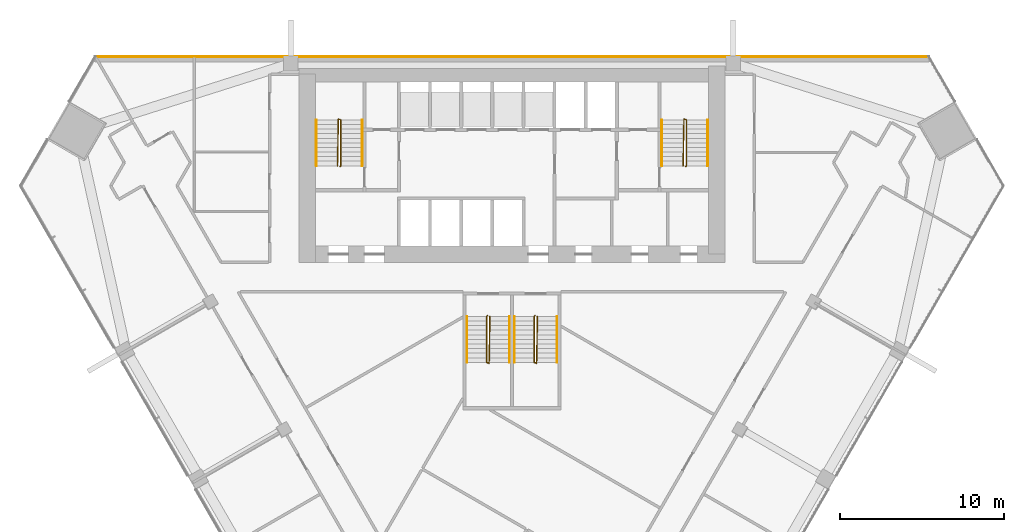
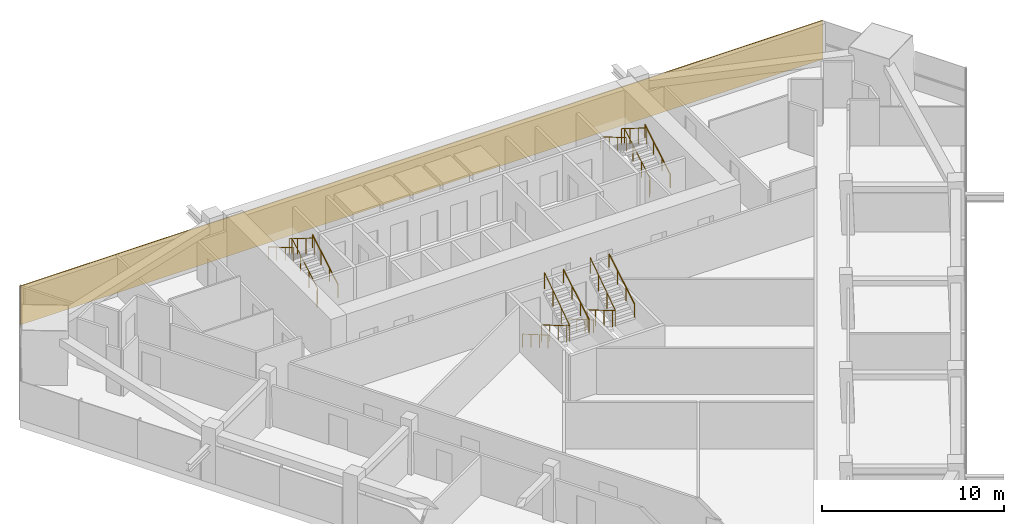
# One storey, part 12 of 13: 12 railings, 1 covering.
"""IFC4 building model written with IfcOpenShell, lengths in metres."""

from ifc_helpers import new_model, si_unit, direction, frame, frame_2d, origin, origin_2d, place, context, subcontext, project, spatial, rectangle, circle, extrude, material, layer, layer_set, type_object, element, save


model = new_model("IFC4")

# Units and contexts
model_context = context("Model", 3, precision=1e-05, world=origin(), true_north=direction((0.0, 1.0)))
body_context = subcontext(model_context, "Body", "Model", "MODEL_VIEW")
ifc_project = project(units=[si_unit("LENGTHUNIT", "METRE"), si_unit("AREAUNIT", "SQUARE_METRE"), si_unit("VOLUMEUNIT", "CUBIC_METRE"), si_unit("PLANEANGLEUNIT", "RADIAN"), si_unit("MASSUNIT", "GRAM", prefix="KILO")], contexts=[model_context])

# Site, building, storey
site_placement = place(None, origin())
site = spatial("IfcSite", under=ifc_project, at=site_placement, CompositionType="ELEMENT")
building_placement = place(site_placement, origin())
building = spatial("IfcBuilding", under=site, at=building_placement, Name="Altiplano Prism Tower", CompositionType="ELEMENT")
storey_placement = place(building_placement, frame((0.0, 0.0, 66.60009765625)))
storey = spatial("IfcBuildingStorey", under=building, at=storey_placement, Name="L16", CompositionType="ELEMENT", Elevation=66.60009765625)

# Railings
ifc_material_1 = material(Name="Steel S355", Category="steel")
railing_type_1 = type_object("IfcRailingType", Name="Stair guard 1100", PredefinedType="GUARDRAIL", material=ifc_material_1)
railing_1_placement = place(storey_placement, frame((74.5, 98.25, 0.0)))
element("IfcRailing", 1, at=railing_1_placement, inside=storey, type_object=railing_type_1, Name="L16 ST1 stair guard 1", PredefinedType="GUARDRAIL", context=body_context, shape_type="SweptSolid", body=[
    extrude(circle(Radius=0.02392578125, at=origin_2d()), frame((0.0, 0.0, 1.076171875), z_axis=(0.280808744504, 0.280808744504, 0.917765164963), x_axis=(-0.707106781187, 0.707106781187, 0.0)), (0.0, 0.0, 1.0), 0.17822265625),
    extrude(circle(Radius=0.02392578125, at=origin_2d()), frame((0.050048828125, 0.050048828125, 1.23974609375), z_axis=(0.0, 0.863393664356, 0.504530851732), x_axis=(-1.0, 0.0, 0.0)), (0.0, 0.0, 1.0), 3.2431640625),
    extrude(circle(Radius=0.02392578125, at=origin_2d()), frame((0.050048828125, 2.85009765625, 2.8759765625), z_axis=(-0.949145278916, 0.314838433982, 0.0), x_axis=(-0.314838433982, -0.949145278916, 0.0)), (0.0, 0.0, 1.0), 0.158203125),
    extrude(circle(Radius=0.02392578125, at=origin_2d()), frame((-0.10009765625, 2.89990234375, 2.8759765625), z_axis=(-0.01477401265, -0.845377694409, 0.533964682676), x_axis=(0.999847325713, -0.01747355902, 0.0)), (0.0, 0.0, 1.0), 3.37109375),
    extrude(circle(Radius=0.02099609375, at=origin_2d()), origin(), (0.0, 0.0, 1.0), 1.052001953125),
    extrude(circle(Radius=0.02099609375, at=origin_2d()), frame((0.050048828125, 0.050048828125, 0.16357421875)), (0.0, 0.0, 1.0), 1.052001953125),
    extrude(circle(Radius=0.02099609375, at=origin_2d()), frame((0.050048828125, 0.9833984375, 0.708984375)), (0.0, 0.0, 1.0), 1.052001953125),
    extrude(circle(Radius=0.02099609375, at=origin_2d()), frame((0.050048828125, 1.916748046875, 1.25439453125)), (0.0, 0.0, 1.0), 1.052001953125),
    extrude(circle(Radius=0.02099609375, at=origin_2d()), frame((0.050048828125, 2.85009765625, 1.7998046875)), (0.0, 0.0, 1.0), 1.052001953125),
    extrude(circle(Radius=0.02099609375, at=origin_2d()), frame((-0.10009765625, 2.89990234375, 1.7998046875)), (0.0, 0.0, 1.0), 1.052001953125),
    extrude(circle(Radius=0.02099609375, at=origin_2d()), frame((-0.11669921875, 1.949951171875, 2.39990234375)), (0.0, 0.0, 1.0), 1.052001953125),
    extrude(circle(Radius=0.02099609375, at=origin_2d()), frame((-0.13330078125, 1.0, 2.999755859375)), (0.0, 0.0, 1.0), 1.052001953125),
    extrude(circle(Radius=0.02099609375, at=origin_2d()), frame((-0.14990234375, 0.050048828125, 3.599853515625)), (0.0, 0.0, 1.0), 1.052001953125),
])
railing_2_placement = place(storey_placement, frame((95.60009765625, 98.25, 0.0)))
element("IfcRailing", 2, at=railing_2_placement, inside=storey, type_object=railing_type_1, Name="L16 ST2 stair guard 1", PredefinedType="GUARDRAIL", context=body_context, shape_type="SweptSolid", body=[
    extrude(circle(Radius=0.02392578125, at=origin_2d()), frame((0.0, 0.0, 1.076171875), z_axis=(0.279546231943, 0.280916556609, 0.91811752648), x_axis=(-0.708833529934, 0.705375805398, 0.0)), (0.0, 0.0, 1.0), 0.17822265625),
    extrude(circle(Radius=0.02392578125, at=origin_2d()), frame((0.0498046875, 0.050048828125, 1.23974609375), z_axis=(0.0, 0.863393664356, 0.504530851732), x_axis=(-1.0, 0.0, 0.0)), (0.0, 0.0, 1.0), 3.2431640625),
    extrude(circle(Radius=0.02392578125, at=origin_2d()), frame((0.0498046875, 2.85009765625, 2.8759765625), z_axis=(-0.948991962702, 0.315300261223, 0.0), x_axis=(-0.315300261223, -0.948991962702, 0.0)), (0.0, 0.0, 1.0), 0.157958984375),
    extrude(circle(Radius=0.02392578125, at=origin_2d()), frame((-0.10009765625, 2.89990234375, 2.8759765625), z_axis=(-0.014846418356, -0.845376787675, 0.533964109957), x_axis=(0.999845825584, -0.017559187376, 0.0)), (0.0, 0.0, 1.0), 3.37109375),
    extrude(circle(Radius=0.02099609375, at=origin_2d()), origin(), (0.0, 0.0, 1.0), 1.052001953125),
    extrude(circle(Radius=0.02099609375, at=origin_2d()), frame((0.0498046875, 0.050048828125, 0.16357421875)), (0.0, 0.0, 1.0), 1.052001953125),
    extrude(circle(Radius=0.02099609375, at=origin_2d()), frame((0.0498046875, 0.9833984375, 0.708984375)), (0.0, 0.0, 1.0), 1.052001953125),
    extrude(circle(Radius=0.02099609375, at=origin_2d()), frame((0.0498046875, 1.916748046875, 1.25439453125)), (0.0, 0.0, 1.0), 1.052001953125),
    extrude(circle(Radius=0.02099609375, at=origin_2d()), frame((0.0498046875, 2.85009765625, 1.7998046875)), (0.0, 0.0, 1.0), 1.052001953125),
    extrude(circle(Radius=0.02099609375, at=origin_2d()), frame((-0.10009765625, 2.89990234375, 1.7998046875)), (0.0, 0.0, 1.0), 1.052001953125),
    extrude(circle(Radius=0.02099609375, at=origin_2d()), frame((-0.11669921875, 1.949951171875, 2.39990234375)), (0.0, 0.0, 1.0), 1.052001953125),
    extrude(circle(Radius=0.02099609375, at=origin_2d()), frame((-0.133544921875, 1.0, 2.999755859375)), (0.0, 0.0, 1.0), 1.052001953125),
    extrude(circle(Radius=0.02099609375, at=origin_2d()), frame((-0.150146484375, 0.050048828125, 3.599853515625)), (0.0, 0.0, 1.0), 1.052001953125),
])
railing_3_placement = place(storey_placement, frame((83.5, 89.14990234375, 0.0)))
element("IfcRailing", 3, at=railing_3_placement, inside=storey, type_object=railing_type_1, Name="L16 ST3A stair guard 1", PredefinedType="GUARDRAIL", context=body_context, shape_type="SweptSolid", body=[
    extrude(circle(Radius=0.02392578125, at=origin_2d()), frame((0.0, 0.0, 1.076171875), z_axis=(-0.280916556609, -0.279546231943, 0.91811752648), x_axis=(0.705375805398, -0.708833529934, 0.0)), (0.0, 0.0, 1.0), 0.17822265625),
    extrude(circle(Radius=0.02392578125, at=origin_2d()), frame((-0.050048828125, -0.0498046875, 1.23974609375), z_axis=(0.0, -0.863393664356, 0.504530851732), x_axis=(1.0, 0.0, 0.0)), (0.0, 0.0, 1.0), 3.2431640625),
    extrude(circle(Radius=0.02392578125, at=origin_2d()), frame((-0.050048828125, -2.849853515625, 2.8759765625), z_axis=(0.948683298051, -0.316227766017, 0.0), x_axis=(0.316227766017, 0.948683298051, 0.0)), (0.0, 0.0, 1.0), 0.158203125),
    extrude(circle(Radius=0.02392578125, at=origin_2d()), frame((0.10009765625, -2.89990234375, 2.8759765625), z_axis=(0.014773108175, 0.84539835705, 0.533931993021), x_axis=(-0.999847351862, 0.017472062685, 0.0)), (0.0, 0.0, 1.0), 3.371337890625),
    extrude(circle(Radius=0.02099609375, at=origin_2d()), origin(), (0.0, 0.0, 1.0), 1.052001953125),
    extrude(circle(Radius=0.02099609375, at=origin_2d()), frame((-0.050048828125, -0.0498046875, 0.16357421875)), (0.0, 0.0, 1.0), 1.052001953125),
    extrude(circle(Radius=0.02099609375, at=origin_2d()), frame((-0.050048828125, -0.983154296875, 0.708984375)), (0.0, 0.0, 1.0), 1.052001953125),
    extrude(circle(Radius=0.02099609375, at=origin_2d()), frame((-0.050048828125, -1.91650390625, 1.25439453125)), (0.0, 0.0, 1.0), 1.052001953125),
    extrude(circle(Radius=0.02099609375, at=origin_2d()), frame((-0.050048828125, -2.849853515625, 1.7998046875)), (0.0, 0.0, 1.0), 1.052001953125),
    extrude(circle(Radius=0.02099609375, at=origin_2d()), frame((0.10009765625, -2.89990234375, 1.7998046875)), (0.0, 0.0, 1.0), 1.052001953125),
    extrude(circle(Radius=0.02099609375, at=origin_2d()), frame((0.11669921875, -1.949951171875, 2.39990234375)), (0.0, 0.0, 1.0), 1.052001953125),
    extrude(circle(Radius=0.02099609375, at=origin_2d()), frame((0.13330078125, -0.999755859375, 2.999755859375)), (0.0, 0.0, 1.0), 1.052001953125),
    extrude(circle(Radius=0.02099609375, at=origin_2d()), frame((0.14990234375, -0.0498046875, 3.599853515625)), (0.0, 0.0, 1.0), 1.052001953125),
])
railing_4_placement = place(storey_placement, frame((86.39990234375, 89.14990234375, 0.0)))
element("IfcRailing", 4, at=railing_4_placement, inside=storey, type_object=railing_type_1, Name="L16 ST3B stair guard 1", PredefinedType="GUARDRAIL", context=body_context, shape_type="SweptSolid", body=[
    extrude(circle(Radius=0.02392578125, at=origin_2d()), frame((0.0, 0.0, 1.076171875), z_axis=(-0.279653641804, -0.279653641804, 0.918470294159), x_axis=(0.707106781187, -0.707106781187, 0.0)), (0.0, 0.0, 1.0), 0.177978515625),
    extrude(circle(Radius=0.02392578125, at=origin_2d()), frame((-0.0498046875, -0.0498046875, 1.23974609375), z_axis=(0.0, -0.863393664356, 0.504530851732), x_axis=(1.0, 0.0, 0.0)), (0.0, 0.0, 1.0), 3.2431640625),
    extrude(circle(Radius=0.02392578125, at=origin_2d()), frame((-0.0498046875, -2.849853515625, 2.8759765625), z_axis=(0.948528701346, -0.316691178788, 0.0), x_axis=(0.316691178788, 0.948528701346, 0.0)), (0.0, 0.0, 1.0), 0.157958984375),
    extrude(circle(Radius=0.02392578125, at=origin_2d()), frame((0.10009765625, -2.89990234375, 2.8759765625), z_axis=(0.014845509451, 0.845397450405, 0.533931420407), x_axis=(-0.999845851991, 0.017557683712, 0.0)), (0.0, 0.0, 1.0), 3.371337890625),
    extrude(circle(Radius=0.02099609375, at=origin_2d()), origin(), (0.0, 0.0, 1.0), 1.052001953125),
    extrude(circle(Radius=0.02099609375, at=origin_2d()), frame((-0.0498046875, -0.0498046875, 0.16357421875)), (0.0, 0.0, 1.0), 1.052001953125),
    extrude(circle(Radius=0.02099609375, at=origin_2d()), frame((-0.0498046875, -0.983154296875, 0.708984375)), (0.0, 0.0, 1.0), 1.052001953125),
    extrude(circle(Radius=0.02099609375, at=origin_2d()), frame((-0.0498046875, -1.91650390625, 1.25439453125)), (0.0, 0.0, 1.0), 1.052001953125),
    extrude(circle(Radius=0.02099609375, at=origin_2d()), frame((-0.0498046875, -2.849853515625, 1.7998046875)), (0.0, 0.0, 1.0), 1.052001953125),
    extrude(circle(Radius=0.02099609375, at=origin_2d()), frame((0.10009765625, -2.89990234375, 1.7998046875)), (0.0, 0.0, 1.0), 1.052001953125),
    extrude(circle(Radius=0.02099609375, at=origin_2d()), frame((0.11669921875, -1.949951171875, 2.39990234375)), (0.0, 0.0, 1.0), 1.052001953125),
    extrude(circle(Radius=0.02099609375, at=origin_2d()), frame((0.133544921875, -0.999755859375, 2.999755859375)), (0.0, 0.0, 1.0), 1.052001953125),
    extrude(circle(Radius=0.02099609375, at=origin_2d()), frame((0.150146484375, -0.0498046875, 3.599853515625)), (0.0, 0.0, 1.0), 1.052001953125),
])
railing_type_2 = type_object("IfcRailingType", Name="Stair handrail 900", PredefinedType="HANDRAIL", material=ifc_material_1)
railing_5_placement = place(storey_placement, frame((75.85009765625, 98.300048828125, 0.16357421875)))
element("IfcRailing", 5, at=railing_5_placement, inside=storey, type_object=railing_type_2, Name="L16 ST1 stair handrail 1", PredefinedType="HANDRAIL", context=body_context, shape_type="SweptSolid", body=[
    extrude(circle(Radius=0.02392578125, at=origin_2d()), frame((0.0, 0.0, 0.8759765625), z_axis=(0.0, 0.863393664356, 0.504530851732), x_axis=(-1.0, 0.0, 0.0)), (0.0, 0.0, 1.0), 3.2431640625),
    extrude(circle(Radius=0.02099609375, at=origin_2d()), origin(), (0.0, 0.0, 1.0), 0.851806640625),
    extrude(circle(Radius=0.02099609375, at=origin_2d()), frame((0.0, 0.933349609375, 0.54541015625)), (0.0, 0.0, 1.0), 0.851806640625),
    extrude(circle(Radius=0.02099609375, at=origin_2d()), frame((0.0, 1.86669921875, 1.0908203125)), (0.0, 0.0, 1.0), 0.851806640625),
    extrude(circle(Radius=0.02099609375, at=origin_2d()), frame((0.0, 2.800048828125, 1.63623046875)), (0.0, 0.0, 1.0), 0.851806640625),
])
railing_6_placement = place(storey_placement, frame((73.050048828125, 101.10009765625, 1.963623046875)))
element("IfcRailing", 6, at=railing_6_placement, inside=storey, type_object=railing_type_2, Name="L16 ST1 stair handrail 2", PredefinedType="HANDRAIL", context=body_context, shape_type="SweptSolid", body=[
    extrude(circle(Radius=0.02392578125, at=origin_2d()), frame((0.0, 0.0, 0.8759765625), z_axis=(0.0, -0.863393664356, 0.504530851732), x_axis=(1.0, 0.0, 0.0)), (0.0, 0.0, 1.0), 3.2431640625),
    extrude(circle(Radius=0.02099609375, at=origin_2d()), origin(), (0.0, 0.0, 1.0), 0.851806640625),
    extrude(circle(Radius=0.02099609375, at=origin_2d()), frame((0.0, -0.933349609375, 0.54541015625)), (0.0, 0.0, 1.0), 0.851806640625),
    extrude(circle(Radius=0.02099609375, at=origin_2d()), frame((0.0, -1.86669921875, 1.0908203125)), (0.0, 0.0, 1.0), 0.851806640625),
    extrude(circle(Radius=0.02099609375, at=origin_2d()), frame((0.0, -2.800048828125, 1.63623046875)), (0.0, 0.0, 1.0), 0.851806640625),
])
railing_7_placement = place(storey_placement, frame((96.949951171875, 98.300048828125, 0.16357421875)))
element("IfcRailing", 7, at=railing_7_placement, inside=storey, type_object=railing_type_2, Name="L16 ST2 stair handrail 1", PredefinedType="HANDRAIL", context=body_context, shape_type="SweptSolid", body=[
    extrude(circle(Radius=0.02392578125, at=origin_2d()), frame((0.0, 0.0, 0.8759765625), z_axis=(0.0, 0.863393664356, 0.504530851732), x_axis=(-1.0, 0.0, 0.0)), (0.0, 0.0, 1.0), 3.2431640625),
    extrude(circle(Radius=0.02099609375, at=origin_2d()), origin(), (0.0, 0.0, 1.0), 0.851806640625),
    extrude(circle(Radius=0.02099609375, at=origin_2d()), frame((0.0, 0.933349609375, 0.54541015625)), (0.0, 0.0, 1.0), 0.851806640625),
    extrude(circle(Radius=0.02099609375, at=origin_2d()), frame((0.0, 1.86669921875, 1.0908203125)), (0.0, 0.0, 1.0), 0.851806640625),
    extrude(circle(Radius=0.02099609375, at=origin_2d()), frame((0.0, 2.800048828125, 1.63623046875)), (0.0, 0.0, 1.0), 0.851806640625),
])
for number, where, name in (
    (8, (94.14990234375, 101.10009765625, 1.963623046875), "L16 ST2 stair handrail 2"),
    (9, (82.25, 89.10009765625, 0.16357421875), "L16 ST3A stair handrail 1"),
):
    element("IfcRailing", number, at=place(storey_placement, frame(where)), inside=storey, type_object=railing_type_2, Name=name, PredefinedType="HANDRAIL", context=body_context, shape_type="SweptSolid", body=[
        extrude(circle(Radius=0.02392578125, at=origin_2d()), frame((0.0, 0.0, 0.8759765625), z_axis=(0.0, -0.863393664356, 0.504530851732), x_axis=(1.0, 0.0, 0.0)), (0.0, 0.0, 1.0), 3.2431640625),
        extrude(circle(Radius=0.02099609375, at=origin_2d()), origin(), (0.0, 0.0, 1.0), 0.851806640625),
        extrude(circle(Radius=0.02099609375, at=origin_2d()), frame((0.0, -0.933349609375, 0.54541015625)), (0.0, 0.0, 1.0), 0.851806640625),
        extrude(circle(Radius=0.02099609375, at=origin_2d()), frame((0.0, -1.86669921875, 1.0908203125)), (0.0, 0.0, 1.0), 0.851806640625),
        extrude(circle(Radius=0.02099609375, at=origin_2d()), frame((0.0, -2.800048828125, 1.63623046875)), (0.0, 0.0, 1.0), 0.851806640625),
    ])
railing_8_placement = place(storey_placement, frame((84.85009765625, 86.300048828125, 1.963623046875)))
element("IfcRailing", 10, at=railing_8_placement, inside=storey, type_object=railing_type_2, Name="L16 ST3A stair handrail 2", PredefinedType="HANDRAIL", context=body_context, shape_type="SweptSolid", body=[
    extrude(circle(Radius=0.02392578125, at=origin_2d()), frame((0.0, 0.0, 0.8759765625), z_axis=(0.0, 0.863393664356, 0.504530851732), x_axis=(-1.0, 0.0, 0.0)), (0.0, 0.0, 1.0), 3.2431640625),
    extrude(circle(Radius=0.02099609375, at=origin_2d()), origin(), (0.0, 0.0, 1.0), 0.851806640625),
    extrude(circle(Radius=0.02099609375, at=origin_2d()), frame((0.0, 0.933349609375, 0.54541015625)), (0.0, 0.0, 1.0), 0.851806640625),
    extrude(circle(Radius=0.02099609375, at=origin_2d()), frame((0.0, 1.86669921875, 1.0908203125)), (0.0, 0.0, 1.0), 0.851806640625),
    extrude(circle(Radius=0.02099609375, at=origin_2d()), frame((0.0, 2.800048828125, 1.63623046875)), (0.0, 0.0, 1.0), 0.851806640625),
])
railing_9_placement = place(storey_placement, frame((85.14990234375, 89.10009765625, 0.16357421875)))
element("IfcRailing", 11, at=railing_9_placement, inside=storey, type_object=railing_type_2, Name="L16 ST3B stair handrail 1", PredefinedType="HANDRAIL", context=body_context, shape_type="SweptSolid", body=[
    extrude(circle(Radius=0.02392578125, at=origin_2d()), frame((0.0, 0.0, 0.8759765625), z_axis=(0.0, -0.863393664356, 0.504530851732), x_axis=(1.0, 0.0, 0.0)), (0.0, 0.0, 1.0), 3.2431640625),
    extrude(circle(Radius=0.02099609375, at=origin_2d()), origin(), (0.0, 0.0, 1.0), 0.851806640625),
    extrude(circle(Radius=0.02099609375, at=origin_2d()), frame((0.0, -0.933349609375, 0.54541015625)), (0.0, 0.0, 1.0), 0.851806640625),
    extrude(circle(Radius=0.02099609375, at=origin_2d()), frame((0.0, -1.86669921875, 1.0908203125)), (0.0, 0.0, 1.0), 0.851806640625),
    extrude(circle(Radius=0.02099609375, at=origin_2d()), frame((0.0, -2.800048828125, 1.63623046875)), (0.0, 0.0, 1.0), 0.851806640625),
])
railing_10_placement = place(storey_placement, frame((87.75, 86.300048828125, 1.963623046875)))
element("IfcRailing", 12, at=railing_10_placement, inside=storey, type_object=railing_type_2, Name="L16 ST3B stair handrail 2", PredefinedType="HANDRAIL", context=body_context, shape_type="SweptSolid", body=[
    extrude(circle(Radius=0.02392578125, at=origin_2d()), frame((0.0, 0.0, 0.8759765625), z_axis=(0.0, 0.863393664356, 0.504530851732), x_axis=(-1.0, 0.0, 0.0)), (0.0, 0.0, 1.0), 3.2431640625),
    extrude(circle(Radius=0.02099609375, at=origin_2d()), origin(), (0.0, 0.0, 1.0), 0.851806640625),
    extrude(circle(Radius=0.02099609375, at=origin_2d()), frame((0.0, 0.933349609375, 0.54541015625)), (0.0, 0.0, 1.0), 0.851806640625),
    extrude(circle(Radius=0.02099609375, at=origin_2d()), frame((0.0, 1.86669921875, 1.0908203125)), (0.0, 0.0, 1.0), 0.851806640625),
    extrude(circle(Radius=0.02099609375, at=origin_2d()), frame((0.0, 2.800048828125, 1.63623046875)), (0.0, 0.0, 1.0), 0.851806640625),
])

# Covering
ifc_material_2 = material(Name="Warm limestone cast stone", Category="masonry")
ifc_layer = layer(ifc_material_2, 0.06005859375)
ifc_layer_set = layer_set([ifc_layer], Name="Warm limestone cast stone")
covering_type = type_object("IfcCoveringType", Name="Stone cladding 60", PredefinedType="CLADDING", material=ifc_layer_set)
covering_placement = place(storey_placement, frame((59.5400390625, 104.969970703125, 0.0), z_axis=(0.0, 0.0, 1.0), x_axis=(1.0, 0.0, 0.0)))
element("IfcCovering", 13, at=covering_placement, inside=storey, type_object=covering_type, Name="Stone cladding north face L16", PredefinedType="CLADDING", context=body_context, shape_type="SweptSolid", body=[
    extrude(rectangle(XDim=50.919921875, YDim=0.06005859375, at=frame_2d((25.4599609375, 0.0))), origin(), (0.0, 0.0, 1.0), 2.599853515625),
])

save(model, "model.ifc")
